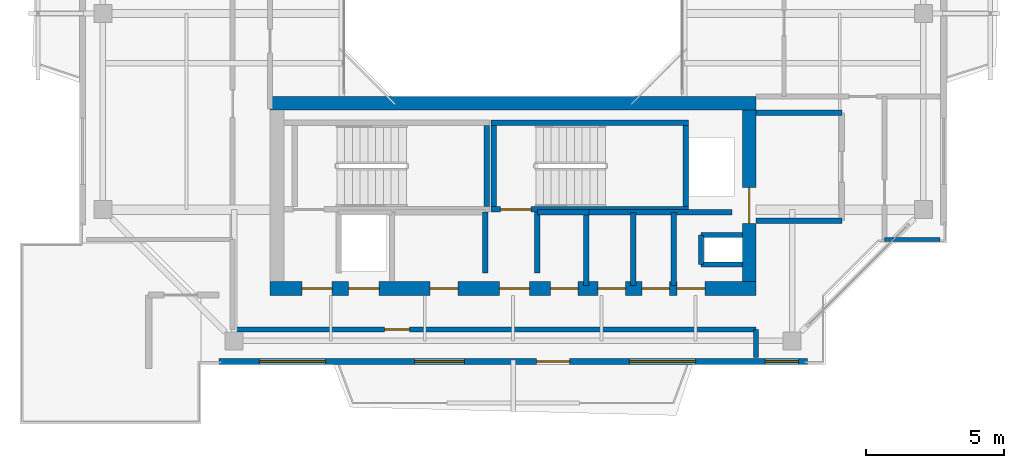
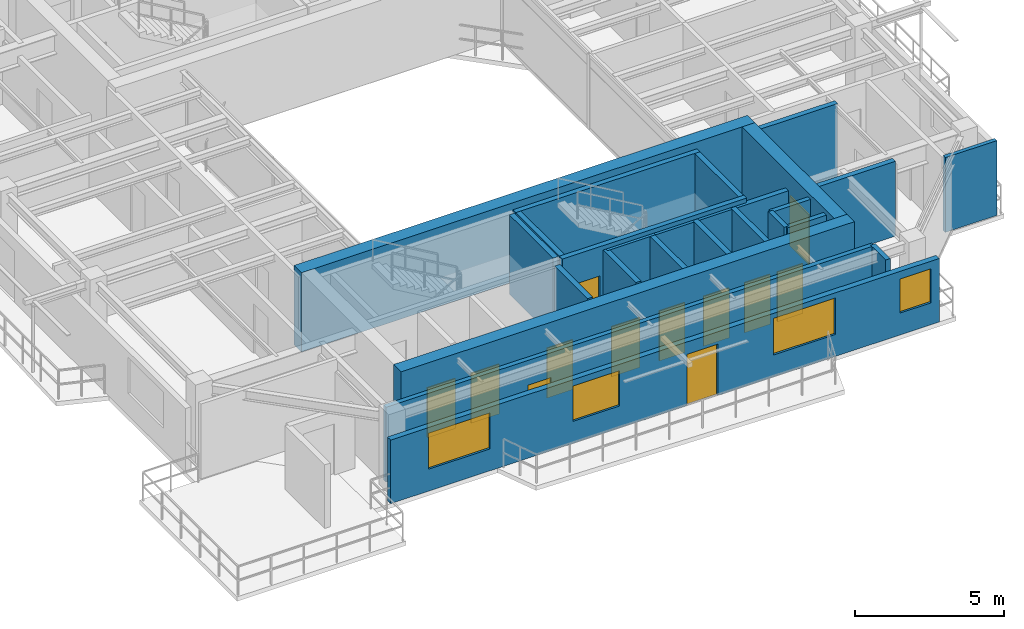
# One storey, part 8 of 14: 24 walls, 12 doors, 4 windows, 16 openings.
"""IFC4 building model written with IfcOpenShell, lengths in metres."""

from ifc_helpers import new_model, si_unit, direction, frame, frame_2d, origin, place, context, subcontext, project, spatial, rectangle, extrude, source, transform, mapped, material, layer, layer_set, type_object, element, fill, save


model = new_model("IFC4")

# Units and contexts
model_context = context("Model", 3, precision=1e-05, world=origin(), true_north=direction((0.0, 1.0)))
body_context = subcontext(model_context, "Body", "Model", "MODEL_VIEW")
ifc_project = project(units=[si_unit("LENGTHUNIT", "METRE"), si_unit("AREAUNIT", "SQUARE_METRE"), si_unit("VOLUMEUNIT", "CUBIC_METRE"), si_unit("PLANEANGLEUNIT", "RADIAN"), si_unit("MASSUNIT", "GRAM", prefix="KILO"), si_unit("THERMODYNAMICTEMPERATUREUNIT", "KELVIN"), si_unit("POWERUNIT", "WATT")], contexts=[model_context])

# Site, building, storey
site_placement = place(None, origin())
site = spatial("IfcSite", under=ifc_project, at=site_placement, CompositionType="ELEMENT")
building_placement = place(site_placement, origin())
building = spatial("IfcBuilding", under=site, at=building_placement, Name="Qiaomeng Ring Towers", CompositionType="ELEMENT")
storey_placement = place(building_placement, frame((0.0, 0.0, 243.75)))
storey = spatial("IfcBuildingStorey", under=building, at=storey_placement, Name="L71", CompositionType="ELEMENT", Elevation=243.75)

# Wall, openings, windows, door
ifc_material_1 = material(Name="Precast concrete C40", Category="concrete")
ifc_layer_1 = layer(ifc_material_1, 0.219970703125, Name="Precast concrete C40")
ifc_layer_set_1 = layer_set([ifc_layer_1], Name="Precast concrete C40")
wall_type_1 = type_object("IfcWallType", Name="ARC-WL-EW2", PredefinedType="STANDARD", material=ifc_layer_set_1)
wall_1_placement = place(storey_placement, frame((8.35009765625, 7.409912109375, 0.0), z_axis=(0.0, 0.0, 1.0), x_axis=(1.0, 0.0, 0.0)))
wall_1 = element("IfcWall", 1, at=wall_1_placement, inside=storey, type_object=wall_type_1, Name="L71 Tower 1 S Exterior Wall", PredefinedType="STANDARD", context=body_context, shape_type="SweptSolid", body=[
    extrude(rectangle(XDim=21.2998046875, YDim=0.219970703125, at=frame_2d((10.64990234375, 0.0))), origin(), (0.0, 0.0, 1.0), 2.610107421875),
])
opening_1_placement = place(wall_1_placement, frame((11.5, 0.0, 0.0)))
opening_1 = element("IfcOpeningElement", 2, at=opening_1_placement, cuts=wall_1, Name="Opening BD1", PredefinedType="OPENING", context=body_context, shape_type="SweptSolid", body=[
    extrude(rectangle(XDim=1.199951171875, YDim=2.10009765625, at=frame_2d((0.60009765625, 1.050048828125))), frame((0.0, 0.119873046875, 0.0), z_axis=(0.0, -1.0, 0.0), x_axis=(1.0, 0.0, 0.0)), (0.0, 0.0, 1.0), 0.239990234375),
])
opening_2_placement = place(wall_1_placement, frame((1.462890625, 0.0, 0.89990234375)))
opening_2 = element("IfcOpeningElement", 3, at=opening_2_placement, cuts=wall_1, Name="Opening WN6", PredefinedType="OPENING", context=body_context, shape_type="SweptSolid", body=[
    extrude(rectangle(XDim=2.39990234375, YDim=1.47998046875, at=frame_2d((1.199951171875, 0.739990234375))), frame((0.0, 0.119873046875, 0.0), z_axis=(0.0, -1.0, 0.0), x_axis=(1.0, 0.0, 0.0)), (0.0, 0.0, 1.0), 0.239990234375),
])
opening_3_placement = place(wall_1_placement, frame((7.087890625, 0.0, 0.89990234375)))
opening_3 = element("IfcOpeningElement", 4, at=opening_3_placement, cuts=wall_1, Name="Opening WN1", PredefinedType="OPENING", context=body_context, shape_type="SweptSolid", body=[
    extrude(rectangle(XDim=1.800048828125, YDim=1.449951171875, at=frame_2d((0.89990234375, 0.72509765625))), frame((0.0, 0.119873046875, 0.0), z_axis=(0.0, -1.0, 0.0), x_axis=(1.0, 0.0, 0.0)), (0.0, 0.0, 1.0), 0.239990234375),
])
opening_4_placement = place(wall_1_placement, frame((19.77490234375, 0.0, 0.89990234375)))
opening_4 = element("IfcOpeningElement", 5, at=opening_4_placement, cuts=wall_1, Name="Opening WN3", PredefinedType="OPENING", context=body_context, shape_type="SweptSolid", body=[
    extrude(rectangle(XDim=1.199951171875, YDim=1.39990234375, at=frame_2d((0.60009765625, 0.699951171875))), frame((0.0, 0.119873046875, 0.0), z_axis=(0.0, -1.0, 0.0), x_axis=(1.0, 0.0, 0.0)), (0.0, 0.0, 1.0), 0.239990234375),
])
opening_5_placement = place(wall_1_placement, frame((14.860107421875, 0.0, 0.89990234375)))
opening_5 = element("IfcOpeningElement", 6, at=opening_5_placement, cuts=wall_1, Name="Opening WN6", PredefinedType="OPENING", context=body_context, shape_type="SweptSolid", body=[
    extrude(rectangle(XDim=2.39990234375, YDim=1.5, at=frame_2d((1.199951171875, 0.75))), frame((0.0, 0.119873046875, 0.0), z_axis=(0.0, -1.0, 0.0), x_axis=(1.0, 0.0, 0.0)), (0.0, 0.0, 1.0), 0.239990234375),
])
ifc_material_2 = material(Name="Low-E dark-grey laminated double glazing", Category="glass")
window_type_1 = type_object("IfcWindowType", Name="ARC-WN-1", PartitioningType="DOUBLE_PANEL_VERTICAL", PredefinedType="WINDOW", material=ifc_material_2)
shared_shape_1 = source(origin(), body_context, "Body", "SweptSolid", [
    extrude(rectangle(XDim=1.800048828125, YDim=1.449951171875, at=frame_2d((0.89990234375, 0.72509765625))), frame((0.0, 0.030029296875, 0.0), z_axis=(0.0, -1.0, 0.0), x_axis=(1.0, 0.0, 0.0)), (0.0, 0.0, 1.0), 0.06005859375),
])
window_1_placement = place(opening_3_placement, origin())
window_1 = element("IfcWindow", 7, at=window_1_placement, inside=storey, type_object=window_type_1, Name="L71 Exterior Window WN1", OverallHeight=1.449951171875, OverallWidth=1.800048828125, PartitioningType="DOUBLE_PANEL_VERTICAL", PredefinedType="WINDOW", context=body_context, shape_type="MappedRepresentation", body=[
    mapped(shared_shape_1, transform((0.0, 0.0, 0.0), x_axis=(1.0, 0.0, 0.0), y_axis=(0.0, 1.0, 0.0), z_axis=(0.0, 0.0, 1.0), scale=1.0)),
])
fill(opening_3, window_1)
window_type_2 = type_object("IfcWindowType", Name="ARC-WN-6", PartitioningType="TRIPLE_PANEL_VERTICAL", PredefinedType="WINDOW", material=ifc_material_2)
shared_shape_2 = source(origin(), body_context, "Body", "SweptSolid", [
    extrude(rectangle(XDim=2.39990234375, YDim=1.47998046875, at=frame_2d((1.199951171875, 0.739990234375))), frame((0.0, 0.030029296875, 0.0), z_axis=(0.0, -1.0, 0.0), x_axis=(1.0, 0.0, 0.0)), (0.0, 0.0, 1.0), 0.06005859375),
])
window_2_placement = place(opening_2_placement, origin())
window_2 = element("IfcWindow", 8, at=window_2_placement, inside=storey, type_object=window_type_2, Name="L71 Exterior Window WN6", OverallHeight=1.47998046875, OverallWidth=2.39990234375, PartitioningType="TRIPLE_PANEL_VERTICAL", PredefinedType="WINDOW", context=body_context, shape_type="MappedRepresentation", body=[
    mapped(shared_shape_2, transform((0.0, 0.0, 0.0), x_axis=(1.0, 0.0, 0.0), y_axis=(0.0, 1.0, 0.0), z_axis=(0.0, 0.0, 1.0), scale=1.0)),
])
fill(opening_2, window_2)
door_type_1 = type_object("IfcDoorType", Name="ARC-DR-BD1", OperationType="NOTDEFINED", PredefinedType="DOOR", material=ifc_material_2)
shared_shape_3 = source(origin(), body_context, "Body", "SweptSolid", [
    extrude(rectangle(XDim=1.199951171875, YDim=2.10009765625, at=frame_2d((0.60009765625, 1.050048828125))), frame((0.0, 0.02490234375, 0.0), z_axis=(0.0, -1.0, 0.0), x_axis=(1.0, 0.0, 0.0)), (0.0, 0.0, 1.0), 0.050048828125),
])
door_1_placement = place(opening_1_placement, frame((1.199951171875, 0.0, 0.0), z_axis=(0.0, 0.0, 1.0), x_axis=(-1.0, 0.0, 0.0)))
door_1 = element("IfcDoor", 9, at=door_1_placement, inside=storey, type_object=door_type_1, Name="L71 S Balcony Glazed Door", OperationType="SINGLE_SWING_LEFT", OverallHeight=2.10009765625, OverallWidth=1.199951171875, PredefinedType="DOOR", context=body_context, shape_type="MappedRepresentation", body=[
    mapped(shared_shape_3, transform((0.0, 0.0, 0.0), x_axis=(1.0, 0.0, 0.0), y_axis=(0.0, 1.0, 0.0), z_axis=(0.0, 0.0, 1.0), scale=1.0)),
])
fill(opening_1, door_1)
shared_shape_4 = source(origin(), body_context, "Body", "SweptSolid", [
    extrude(rectangle(XDim=2.39990234375, YDim=1.5, at=frame_2d((1.199951171875, 0.75))), frame((0.0, 0.030029296875, 0.0), z_axis=(0.0, -1.0, 0.0), x_axis=(1.0, 0.0, 0.0)), (0.0, 0.0, 1.0), 0.06005859375),
])
window_3_placement = place(opening_5_placement, origin())
window_3 = element("IfcWindow", 10, at=window_3_placement, inside=storey, type_object=window_type_2, Name="L71 Exterior Window WN6", OverallHeight=1.5, OverallWidth=2.39990234375, PartitioningType="TRIPLE_PANEL_VERTICAL", PredefinedType="WINDOW", context=body_context, shape_type="MappedRepresentation", body=[
    mapped(shared_shape_4, transform((0.0, 0.0, 0.0), x_axis=(1.0, 0.0, 0.0), y_axis=(0.0, 1.0, 0.0), z_axis=(0.0, 0.0, 1.0), scale=1.0)),
])
fill(opening_5, window_3)
window_type_3 = type_object("IfcWindowType", Name="ARC-WN-3", PartitioningType="SINGLE_PANEL", PredefinedType="WINDOW", material=ifc_material_2)
shared_shape_5 = source(origin(), body_context, "Body", "SweptSolid", [
    extrude(rectangle(XDim=1.199951171875, YDim=1.39990234375, at=frame_2d((0.60009765625, 0.699951171875))), frame((0.0, 0.030029296875, 0.0), z_axis=(0.0, -1.0, 0.0), x_axis=(1.0, 0.0, 0.0)), (0.0, 0.0, 1.0), 0.06005859375),
])
window_4_placement = place(opening_4_placement, origin())
window_4 = element("IfcWindow", 11, at=window_4_placement, inside=storey, type_object=window_type_3, Name="L71 Exterior Window WN4", OverallHeight=1.39990234375, OverallWidth=1.199951171875, PartitioningType="TRIPLE_PANEL_VERTICAL", PredefinedType="WINDOW", context=body_context, shape_type="MappedRepresentation", body=[
    mapped(shared_shape_5, transform((0.0, 0.0, 0.0), x_axis=(1.0, 0.0, 0.0), y_axis=(0.0, 1.0, 0.0), z_axis=(0.0, 0.0, 1.0), scale=1.0)),
])
fill(opening_4, window_4)

# Walls
ifc_material_3 = material(Name="Autoclaved aerated concrete block", Category="concrete")
ifc_layer_2 = layer(ifc_material_3, 0.199951171875, Name="Autoclaved aerated concrete block")
ifc_layer_set_2 = layer_set([ifc_layer_2], Name="Autoclaved aerated concrete block")
wall_type_2 = type_object("IfcWallType", Name="ARC-WL-PW1", PredefinedType="PARTITIONING", material=ifc_layer_set_2)
for number, where, z_axis, x_axis, name in (
    (12, (27.800048828125, 16.39990234375, 0.0), (0.0, 0.0, 1.0), (1.0, 0.0, 0.0), "L71 Interior Wall PW1"),
    (13, (27.800048828125, 12.5, 0.0), (0.0, 0.0, 1.0), (1.0, 0.0, 0.0), "L71 Interior Wall PW1"),
):
    element("IfcWall", number, at=place(storey_placement, frame(where, z_axis=z_axis, x_axis=x_axis)), inside=storey, type_object=wall_type_2, Name=name, PredefinedType="PARTITIONING", context=body_context, shape_type="SweptSolid", body=[
        extrude(rectangle(XDim=3.099853515625, YDim=0.199951171875, at=frame_2d((1.5498046875, 0.0))), origin(), (0.0, 0.0, 1.0), 3.070068359375),
    ])
for number, where, z_axis, x_axis, name in (
    (14, (18.0, 10.60009765625, 0.0), (0.0, 0.0, 1.0), (0.0, 1.0, 0.0), "L71 Interior Wall PW1"),
    (15, (19.8798828125, 10.60009765625, 0.0), (0.0, 0.0, 1.0), (0.0, 1.0, 0.0), "L71 Interior Wall PW1"),
):
    element("IfcWall", number, at=place(storey_placement, frame(where, z_axis=z_axis, x_axis=x_axis)), inside=storey, type_object=wall_type_2, Name=name, PredefinedType="PARTITIONING", context=body_context, shape_type="SweptSolid", body=[
        extrude(rectangle(XDim=2.2099609375, YDim=0.199951171875, at=frame_2d((1.10498046875, 0.0))), origin(), (0.0, 0.0, 1.0), 3.070068359375),
    ])
wall_2_placement = place(storey_placement, frame((24.820068359375, 10.14990234375, 0.0), z_axis=(0.0, 0.0, 1.0), x_axis=(0.0, 1.0, 0.0)))
element("IfcWall", 16, at=wall_2_placement, inside=storey, type_object=wall_type_2, Name="L71 Interior Wall PW1", PredefinedType="PARTITIONING", context=body_context, shape_type="SweptSolid", body=[
    extrude(rectangle(XDim=2.650146484375, YDim=0.199951171875, at=frame_2d((1.3251953125, 0.0))), origin(), (0.0, 0.0, 1.0), 3.070068359375),
])
wall_3_placement = place(storey_placement, frame((19.8798828125, 12.800048828125, 0.0), z_axis=(0.0, 0.0, 1.0), x_axis=(1.0, 0.0, 0.0)))
element("IfcWall", 17, at=wall_3_placement, inside=storey, type_object=wall_type_2, Name="L71 Interior Wall PW1", PredefinedType="PARTITIONING", context=body_context, shape_type="SweptSolid", body=[
    extrude(rectangle(XDim=1.8701171875, YDim=0.199951171875, at=frame_2d((0.93505859375, 0.0))), origin(), (0.0, 0.0, 1.0), 3.070068359375),
])
for number, where, z_axis, x_axis, name in (
    (18, (21.639892578125, 10.14990234375, 0.0), (0.0, 0.0, 1.0), (0.0, 1.0, 0.0), "L71 Interior Wall PW1"),
    (19, (23.35009765625, 10.14990234375, 0.0), (0.0, 0.0, 1.0), (0.0, 1.0, 0.0), "L71 Interior Wall PW1"),
):
    element("IfcWall", number, at=place(storey_placement, frame(where, z_axis=z_axis, x_axis=x_axis)), inside=storey, type_object=wall_type_2, Name=name, PredefinedType="PARTITIONING", context=body_context, shape_type="SweptSolid", body=[
        extrude(rectangle(XDim=2.650146484375, YDim=0.199951171875, at=frame_2d((1.3251953125, 0.0))), origin(), (0.0, 0.0, 1.0), 3.070068359375),
    ])
wall_4_placement = place(storey_placement, frame((21.75, 12.800048828125, 0.0), z_axis=(0.0, 0.0, 1.0), x_axis=(1.0, 0.0, 0.0)))
element("IfcWall", 20, at=wall_4_placement, inside=storey, type_object=wall_type_2, Name="L71 Interior Wall PW1", PredefinedType="PARTITIONING", context=body_context, shape_type="SweptSolid", body=[
    extrude(rectangle(XDim=5.169921875, YDim=0.199951171875, at=frame_2d((2.5849609375, 0.0))), origin(), (0.0, 0.0, 1.0), 3.070068359375),
])
ifc_layer_3 = layer(ifc_material_3, 0.179931640625, Name="Autoclaved aerated concrete block")
ifc_layer_set_3 = layer_set([ifc_layer_3], Name="Autoclaved aerated concrete block")
wall_type_3 = type_object("IfcWallType", Name="ARC-WL-PW2", PredefinedType="PARTITIONING", material=ifc_layer_set_3)
wall_5_placement = place(storey_placement, frame((27.800048828125, 7.550048828125, 0.0), z_axis=(0.0, 0.0, 1.0), x_axis=(0.0, 1.0, 0.0)))
element("IfcWall", 21, at=wall_5_placement, inside=storey, type_object=wall_type_3, Name="L71 Interior Wall PW2", PredefinedType="PARTITIONING", context=body_context, shape_type="SweptSolid", body=[
    extrude(rectangle(XDim=1.010009765625, YDim=0.179931640625, at=frame_2d((0.5048828125, 0.0))), origin(), (0.0, 0.0, 1.0), 3.070068359375),
])

# Wall, opening, door
wall_6_placement = place(storey_placement, frame((8.85009765625, 8.56005859375, 0.0), z_axis=(0.0, 0.0, 1.0), x_axis=(1.0, 0.0, 0.0)))
wall_6 = element("IfcWall", 22, at=wall_6_placement, inside=storey, type_object=wall_type_3, Name="L71 Interior Wall PW2", PredefinedType="PARTITIONING", context=body_context, shape_type="SweptSolid", body=[
    extrude(rectangle(XDim=18.949951171875, YDim=0.179931640625, at=frame_2d((9.47509765625, 0.0))), origin(), (0.0, 0.0, 1.0), 3.070068359375),
])
opening_6_placement = place(wall_6_placement, frame((5.5, 0.0, 0.0)))
opening_6 = element("IfcOpeningElement", 23, at=opening_6_placement, cuts=wall_6, Name="Opening ID1", PredefinedType="OPENING", context=body_context, shape_type="SweptSolid", body=[
    extrude(rectangle(XDim=0.89990234375, YDim=2.050048828125, at=frame_2d((0.449951171875, 1.02490234375))), frame((0.0, 0.099853515625, 0.0), z_axis=(0.0, -1.0, 0.0), x_axis=(1.0, 0.0, 0.0)), (0.0, 0.0, 1.0), 0.199951171875),
])
ifc_material_4 = material(Name="Engineered oak timber", Category="wood")
door_type_2 = type_object("IfcDoorType", Name="ARC-DR-ID1", OperationType="NOTDEFINED", PredefinedType="DOOR", material=ifc_material_4)
shared_shape_6 = source(origin(), body_context, "Body", "SweptSolid", [
    extrude(rectangle(XDim=0.89990234375, YDim=2.050048828125, at=frame_2d((0.449951171875, 1.02490234375))), frame((0.0, 0.02490234375, 0.0), z_axis=(0.0, -1.0, 0.0), x_axis=(1.0, 0.0, 0.0)), (0.0, 0.0, 1.0), 0.050048828125),
])
door_2_placement = place(opening_6_placement, origin())
door_2 = element("IfcDoor", 24, at=door_2_placement, inside=storey, type_object=door_type_2, Name="L71 Door ID1", OperationType="SINGLE_SWING_LEFT", OverallHeight=2.050048828125, OverallWidth=0.89990234375, PredefinedType="DOOR", context=body_context, shape_type="MappedRepresentation", body=[
    mapped(shared_shape_6, transform((0.0, 0.0, 0.0), x_axis=(1.0, 0.0, 0.0), y_axis=(0.0, 1.0, 0.0), z_axis=(0.0, 0.0, 1.0), scale=1.0)),
])
fill(opening_6, door_2)

# Walls
ifc_material_5 = material(Name="Gypsum fireboard steel-stud partition", Category="steel")
ifc_layer_4 = layer(ifc_material_5, 0.14990234375, Name="Gypsum fireboard steel-stud partition")
ifc_layer_set_4 = layer_set([ifc_layer_4], Name="Gypsum fireboard steel-stud partition")
wall_type_4 = type_object("IfcWallType", Name="ARC-WL-PW3", PredefinedType="PARTITIONING", material=ifc_layer_set_4)
wall_7_placement = place(storey_placement, frame((32.449951171875, 11.820068359375, 0.0), z_axis=(0.0, 0.0, 1.0), x_axis=(1.0, 0.0, 0.0)))
element("IfcWall", 25, at=wall_7_placement, inside=storey, type_object=wall_type_4, Name="L71 Interior Wall PW3", PredefinedType="PARTITIONING", context=body_context, shape_type="SweptSolid", body=[
    extrude(rectangle(XDim=2.0, YDim=0.14990234375, at=frame_2d((1.0, 0.0))), origin(), (0.0, 0.0, 1.0), 3.070068359375),
])
ifc_material_6 = material(Name="Concrete C40", Category="concrete")
ifc_layer_5 = layer(ifc_material_6, 0.199951171875, Name="Concrete C40")
ifc_layer_set_5 = layer_set([ifc_layer_5], Name="Concrete C40")
wall_type_5 = type_object("IfcWallType", Name="STR-WL-STSHAFT", PredefinedType="SHEAR", material=ifc_layer_set_5)
wall_8_placement = place(storey_placement, frame((25.800048828125, 10.919921875, 0.0), z_axis=(0.0, 0.0, 1.0), x_axis=(0.0, 1.0, 0.0)))
element("IfcWall", 26, at=wall_8_placement, inside=storey, type_object=wall_type_5, Name="L71 Riser RSR1 West Shaft Wall S", PredefinedType="SHEAR", context=body_context, shape_type="SweptSolid", body=[
    extrude(rectangle(XDim=1.06005859375, YDim=0.179931640625, at=frame_2d((0.530029296875, 0.0))), origin(), (0.0, 0.0, 1.0), 3.070068359375),
])
for number, where, z_axis, x_axis, name in (
    (27, (25.800048828125, 11.97998046875, 0.0), (0.0, 0.0, 1.0), (1.0, 0.0, 0.0), "L71 Riser RSR1 North Shaft Wall S"),
    (28, (25.800048828125, 10.919921875, 0.0), (0.0, 0.0, 1.0), (1.0, 0.0, 0.0), "L71 Riser RSR1 South Shaft Wall S"),
):
    element("IfcWall", number, at=place(storey_placement, frame(where, z_axis=z_axis, x_axis=x_axis)), inside=storey, type_object=wall_type_5, Name=name, PredefinedType="SHEAR", context=body_context, shape_type="SweptSolid", body=[
        extrude(rectangle(XDim=1.5, YDim=0.179931640625, at=frame_2d((0.75, 0.0))), origin(), (0.0, 0.0, 1.0), 3.070068359375),
    ])
wall_9_placement = place(storey_placement, frame((18.050048828125, 13.010009765625, 0.0), z_axis=(0.0, 0.0, 1.0), x_axis=(0.0, 1.0, 0.0)))
element("IfcWall", 29, at=wall_9_placement, inside=storey, type_object=wall_type_5, Name="L71 Stair ST3 East Shaft Shear Wall", PredefinedType="SHEAR", context=body_context, shape_type="SweptSolid", body=[
    extrude(rectangle(XDim=2.93994140625, YDim=0.199951171875, at=frame_2d((1.469970703125, 0.0))), origin(), (0.0, 0.0, 1.0), 3.25),
])

# Wall, opening, door
wall_10_placement = place(storey_placement, frame((18.199951171875, 12.909912109375, 0.0), z_axis=(0.0, 0.0, 1.0), x_axis=(1.0, 0.0, 0.0)))
wall_10 = element("IfcWall", 30, at=wall_10_placement, inside=storey, type_object=wall_type_5, Name="L71 Stair ST4 South Shaft Shear Wall", PredefinedType="SHEAR", context=body_context, shape_type="SweptSolid", body=[
    extrude(rectangle(XDim=7.150146484375, YDim=0.199951171875, at=frame_2d((3.5751953125, 0.0))), origin(), (0.0, 0.0, 1.0), 3.25),
])
opening_7_placement = place(wall_10_placement, frame((0.35009765625, 0.0, 0.0)))
opening_7 = element("IfcOpeningElement", 31, at=opening_7_placement, cuts=wall_10, Name="Opening FD3", PredefinedType="OPENING", context=body_context, shape_type="SweptSolid", body=[
    extrude(rectangle(XDim=1.10009765625, YDim=2.050048828125, at=frame_2d((0.550048828125, 1.02490234375))), frame((0.0, 0.10986328125, 0.0), z_axis=(0.0, -1.0, 0.0), x_axis=(1.0, 0.0, 0.0)), (0.0, 0.0, 1.0), 0.219970703125),
])
ifc_material_7 = material(Name="Galvanised steel", Category="steel")
door_type_3 = type_object("IfcDoorType", Name="ARC-DR-FD3", OperationType="NOTDEFINED", PredefinedType="DOOR", material=ifc_material_7)
shared_shape_7 = source(origin(), body_context, "Body", "SweptSolid", [
    extrude(rectangle(XDim=1.10009765625, YDim=2.050048828125, at=frame_2d((0.550048828125, 1.02490234375))), frame((0.0, 0.02490234375, 0.0), z_axis=(0.0, -1.0, 0.0), x_axis=(1.0, 0.0, 0.0)), (0.0, 0.0, 1.0), 0.050048828125),
])
door_3_placement = place(opening_7_placement, frame((1.10009765625, 0.0, 0.0), z_axis=(0.0, 0.0, 1.0), x_axis=(-1.0, 0.0, 0.0)))
door_3 = element("IfcDoor", 32, at=door_3_placement, inside=storey, type_object=door_type_3, Name="L71 Stair ST4 Exit Door", OperationType="SINGLE_SWING_LEFT", OverallHeight=2.050048828125, OverallWidth=1.10009765625, PredefinedType="DOOR", context=body_context, shape_type="MappedRepresentation", body=[
    mapped(shared_shape_7, transform((0.0, 0.0, 0.0), x_axis=(1.0, 0.0, 0.0), y_axis=(0.0, 1.0, 0.0), z_axis=(0.0, 0.0, 1.0), scale=1.0)),
])
fill(opening_7, door_3)

# Walls
wall_11_placement = place(storey_placement, frame((18.199951171875, 16.050048828125, 0.0), z_axis=(0.0, 0.0, 1.0), x_axis=(1.0, 0.0, 0.0)))
element("IfcWall", 33, at=wall_11_placement, inside=storey, type_object=wall_type_5, Name="L71 Stair ST4 North Shaft Shear Wall", PredefinedType="SHEAR", context=body_context, shape_type="SweptSolid", body=[
    extrude(rectangle(XDim=7.150146484375, YDim=0.199951171875, at=frame_2d((3.5751953125, 0.0))), origin(), (0.0, 0.0, 1.0), 3.25),
])
for number, where, z_axis, x_axis, name in (
    (34, (18.300048828125, 13.010009765625, 0.0), (0.0, 0.0, 1.0), (0.0, 1.0, 0.0), "L71 Stair ST4 West Shaft Shear Wall"),
    (35, (25.25, 13.010009765625, 0.0), (0.0, 0.0, 1.0), (0.0, 1.0, 0.0), "L71 Stair ST4 East Shaft Shear Wall"),
):
    element("IfcWall", number, at=place(storey_placement, frame(where, z_axis=z_axis, x_axis=x_axis)), inside=storey, type_object=wall_type_5, Name=name, PredefinedType="SHEAR", context=body_context, shape_type="SweptSolid", body=[
        extrude(rectangle(XDim=2.93994140625, YDim=0.199951171875, at=frame_2d((1.469970703125, 0.0))), origin(), (0.0, 0.0, 1.0), 3.25),
    ])

# Wall, openings, doors
ifc_layer_6 = layer(ifc_material_6, 0.5, Name="Concrete C40")
ifc_layer_set_6 = layer_set([ifc_layer_6], Name="Concrete C40")
wall_type_6 = type_object("IfcWallType", Name="STR-WL-SW3", PredefinedType="SHEAR", material=ifc_layer_set_6)
wall_12_placement = place(storey_placement, frame((10.199951171875, 10.050048828125, 0.0), z_axis=(0.0, 0.0, 1.0), x_axis=(1.0, 0.0, 0.0)))
wall_12 = element("IfcWall", 36, at=wall_12_placement, inside=storey, type_object=wall_type_6, Name="L71 T1SC south core shear wall", PredefinedType="SHEAR", context=body_context, shape_type="SweptSolid", body=[
    extrude(rectangle(XDim=17.60009765625, YDim=0.5, at=frame_2d((8.800048828125, 0.0))), origin(), (0.0, 0.0, 1.0), 3.25),
])
opening_8_placement = place(wall_12_placement, frame((1.14990234375, 0.0, 0.0)))
opening_8 = element("IfcOpeningElement", 37, at=opening_8_placement, cuts=wall_12, Name="Opening FD3", PredefinedType="OPENING", context=body_context, shape_type="SweptSolid", body=[
    extrude(rectangle(XDim=1.10009765625, YDim=2.050048828125, at=frame_2d((0.550048828125, 1.02490234375))), frame((0.0, 0.260009765625, 0.0), z_axis=(0.0, -1.0, 0.0), x_axis=(1.0, 0.0, 0.0)), (0.0, 0.0, 1.0), 0.52001953125),
])
opening_9_placement = place(wall_12_placement, frame((8.300048828125, 0.0, 0.0)))
opening_9 = element("IfcOpeningElement", 38, at=opening_9_placement, cuts=wall_12, Name="Opening FD3", PredefinedType="OPENING", context=body_context, shape_type="SweptSolid", body=[
    extrude(rectangle(XDim=1.10009765625, YDim=2.050048828125, at=frame_2d((0.550048828125, 1.02490234375))), frame((0.0, 0.260009765625, 0.0), z_axis=(0.0, -1.0, 0.0), x_axis=(1.0, 0.0, 0.0)), (0.0, 0.0, 1.0), 0.52001953125),
])
opening_10_placement = place(wall_12_placement, frame((2.85009765625, 0.0, 0.0)))
opening_10 = element("IfcOpeningElement", 39, at=opening_10_placement, cuts=wall_12, Name="Opening LD1", PredefinedType="OPENING", context=body_context, shape_type="SweptSolid", body=[
    extrude(rectangle(XDim=1.10009765625, YDim=2.050048828125, at=frame_2d((0.550048828125, 1.02490234375))), frame((0.0, 0.260009765625, 0.0), z_axis=(0.0, -1.0, 0.0), x_axis=(1.0, 0.0, 0.0)), (0.0, 0.0, 1.0), 0.52001953125),
])
opening_11_placement = place(wall_12_placement, frame((5.800048828125, 0.0, 0.0)))
opening_11 = element("IfcOpeningElement", 40, at=opening_11_placement, cuts=wall_12, Name="Opening FD1", PredefinedType="OPENING", context=body_context, shape_type="SweptSolid", body=[
    extrude(rectangle(XDim=1.0, YDim=2.050048828125, at=frame_2d((0.5, 1.02490234375))), frame((0.0, 0.260009765625, 0.0), z_axis=(0.0, -1.0, 0.0), x_axis=(1.0, 0.0, 0.0)), (0.0, 0.0, 1.0), 0.52001953125),
])
opening_12_placement = place(wall_12_placement, frame((14.739990234375, 0.0, 0.0)))
opening_12 = element("IfcOpeningElement", 41, at=opening_12_placement, cuts=wall_12, Name="Opening FD1", PredefinedType="OPENING", context=body_context, shape_type="SweptSolid", body=[
    extrude(rectangle(XDim=1.0, YDim=2.050048828125, at=frame_2d((0.5, 1.02490234375))), frame((0.0, 0.260009765625, 0.0), z_axis=(0.0, -1.0, 0.0), x_axis=(1.0, 0.0, 0.0)), (0.0, 0.0, 1.0), 0.52001953125),
])
opening_13_placement = place(wall_12_placement, frame((10.155029296875, 0.0, 0.0)))
opening_13 = element("IfcOpeningElement", 42, at=opening_13_placement, cuts=wall_12, Name="Opening FD1", PredefinedType="OPENING", context=body_context, shape_type="SweptSolid", body=[
    extrude(rectangle(XDim=1.0, YDim=2.050048828125, at=frame_2d((0.5, 1.02490234375))), frame((0.0, 0.260009765625, 0.0), z_axis=(0.0, -1.0, 0.0), x_axis=(1.0, 0.0, 0.0)), (0.0, 0.0, 1.0), 0.52001953125),
])
opening_14_placement = place(wall_12_placement, frame((11.8701171875, 0.0, 0.0)))
opening_14 = element("IfcOpeningElement", 43, at=opening_14_placement, cuts=wall_12, Name="Opening FD1", PredefinedType="OPENING", context=body_context, shape_type="SweptSolid", body=[
    extrude(rectangle(XDim=1.0, YDim=2.050048828125, at=frame_2d((0.5, 1.02490234375))), frame((0.0, 0.260009765625, 0.0), z_axis=(0.0, -1.0, 0.0), x_axis=(1.0, 0.0, 0.0)), (0.0, 0.0, 1.0), 0.52001953125),
])
opening_15_placement = place(wall_12_placement, frame((13.4599609375, 0.0, 0.0)))
opening_15 = element("IfcOpeningElement", 44, at=opening_15_placement, cuts=wall_12, Name="Opening FD1", PredefinedType="OPENING", context=body_context, shape_type="SweptSolid", body=[
    extrude(rectangle(XDim=1.0, YDim=2.050048828125, at=frame_2d((0.5, 1.02490234375))), frame((0.0, 0.260009765625, 0.0), z_axis=(0.0, -1.0, 0.0), x_axis=(1.0, 0.0, 0.0)), (0.0, 0.0, 1.0), 0.52001953125),
])
door_4_placement = place(opening_8_placement, origin())
door_4 = element("IfcDoor", 45, at=door_4_placement, inside=storey, type_object=door_type_3, Name="L71 Stair ST3 Lobby Door", OperationType="SINGLE_SWING_RIGHT", OverallHeight=2.050048828125, OverallWidth=1.10009765625, PredefinedType="DOOR", context=body_context, shape_type="MappedRepresentation", body=[
    mapped(shared_shape_7, transform((0.0, 0.0, 0.0), x_axis=(1.0, 0.0, 0.0), y_axis=(0.0, 1.0, 0.0), z_axis=(0.0, 0.0, 1.0), scale=1.0)),
])
fill(opening_8, door_4)
door_5_placement = place(opening_9_placement, origin())
door_5 = element("IfcDoor", 46, at=door_5_placement, inside=storey, type_object=door_type_3, Name="L71 Stair ST4 Lobby Door", OperationType="SINGLE_SWING_RIGHT", OverallHeight=2.050048828125, OverallWidth=1.10009765625, PredefinedType="DOOR", context=body_context, shape_type="MappedRepresentation", body=[
    mapped(shared_shape_7, transform((0.0, 0.0, 0.0), x_axis=(1.0, 0.0, 0.0), y_axis=(0.0, 1.0, 0.0), z_axis=(0.0, 0.0, 1.0), scale=1.0)),
])
fill(opening_9, door_5)
ifc_material_8 = material(Name="Stainless steel 316", Category="steel")
door_type_4 = type_object("IfcDoorType", Name="ARC-DR-LD1", OperationType="NOTDEFINED", PredefinedType="DOOR", material=ifc_material_8)
door_6_placement = place(opening_10_placement, origin())
door_6 = element("IfcDoor", 47, at=door_6_placement, inside=storey, type_object=door_type_4, Name="L71 High-Zone Lift LP6 Landing Door", OperationType="SLIDING_TO_RIGHT", OverallHeight=2.050048828125, OverallWidth=1.10009765625, PredefinedType="DOOR", context=body_context, shape_type="MappedRepresentation", body=[
    mapped(shared_shape_7, transform((0.0, 0.0, 0.0), x_axis=(1.0, 0.0, 0.0), y_axis=(0.0, 1.0, 0.0), z_axis=(0.0, 0.0, 1.0), scale=1.0)),
])
fill(opening_10, door_6)
door_type_5 = type_object("IfcDoorType", Name="ARC-DR-FD1", OperationType="NOTDEFINED", PredefinedType="DOOR", material=ifc_material_7)
shared_shape_8 = source(origin(), body_context, "Body", "SweptSolid", [
    extrude(rectangle(XDim=1.0, YDim=2.050048828125, at=frame_2d((0.5, 1.02490234375))), frame((0.0, 0.02490234375, 0.0), z_axis=(0.0, -1.0, 0.0), x_axis=(1.0, 0.0, 0.0)), (0.0, 0.0, 1.0), 0.050048828125),
])
door_7_placement = place(opening_11_placement, origin())
door_7 = element("IfcDoor", 48, at=door_7_placement, inside=storey, type_object=door_type_5, Name="L71 High-Zone Freed Core Room Door", OperationType="SINGLE_SWING_LEFT", OverallHeight=2.050048828125, OverallWidth=1.0, PredefinedType="DOOR", context=body_context, shape_type="MappedRepresentation", body=[
    mapped(shared_shape_8, transform((0.0, 0.0, 0.0), x_axis=(1.0, 0.0, 0.0), y_axis=(0.0, 1.0, 0.0), z_axis=(0.0, 0.0, 1.0), scale=1.0)),
])
fill(opening_11, door_7)
door_8_placement = place(opening_12_placement, origin())
door_8 = element("IfcDoor", 49, at=door_8_placement, inside=storey, type_object=door_type_5, Name="L71 South Electrical Riser Door", OperationType="SINGLE_SWING_LEFT", OverallHeight=2.050048828125, OverallWidth=1.0, PredefinedType="DOOR", context=body_context, shape_type="MappedRepresentation", body=[
    mapped(shared_shape_8, transform((0.0, 0.0, 0.0), x_axis=(1.0, 0.0, 0.0), y_axis=(0.0, 1.0, 0.0), z_axis=(0.0, 0.0, 1.0), scale=1.0)),
])
fill(opening_12, door_8)
door_9_placement = place(opening_13_placement, origin())
door_9 = element("IfcDoor", 50, at=door_9_placement, inside=storey, type_object=door_type_5, Name="L71 South Break Lounge Door", OperationType="SINGLE_SWING_LEFT", OverallHeight=2.050048828125, OverallWidth=1.0, PredefinedType="DOOR", context=body_context, shape_type="MappedRepresentation", body=[
    mapped(shared_shape_8, transform((0.0, 0.0, 0.0), x_axis=(1.0, 0.0, 0.0), y_axis=(0.0, 1.0, 0.0), z_axis=(0.0, 0.0, 1.0), scale=1.0)),
])
fill(opening_13, door_9)
door_10_placement = place(opening_14_placement, origin())
door_10 = element("IfcDoor", 51, at=door_10_placement, inside=storey, type_object=door_type_5, Name="L71 South Consultation Study Door", OperationType="SINGLE_SWING_RIGHT", OverallHeight=2.050048828125, OverallWidth=1.0, PredefinedType="DOOR", context=body_context, shape_type="MappedRepresentation", body=[
    mapped(shared_shape_8, transform((0.0, 0.0, 0.0), x_axis=(1.0, 0.0, 0.0), y_axis=(0.0, 1.0, 0.0), z_axis=(0.0, 0.0, 1.0), scale=1.0)),
])
fill(opening_14, door_10)
door_11_placement = place(opening_15_placement, origin())
door_11 = element("IfcDoor", 52, at=door_11_placement, inside=storey, type_object=door_type_5, Name="L71 South Tea Pantry Door", OperationType="SINGLE_SWING_LEFT", OverallHeight=2.050048828125, OverallWidth=1.0, PredefinedType="DOOR", context=body_context, shape_type="MappedRepresentation", body=[
    mapped(shared_shape_8, transform((0.0, 0.0, 0.0), x_axis=(1.0, 0.0, 0.0), y_axis=(0.0, 1.0, 0.0), z_axis=(0.0, 0.0, 1.0), scale=1.0)),
])
fill(opening_15, door_11)

# Wall
wall_13_placement = place(storey_placement, frame((10.199951171875, 16.75, 0.0), z_axis=(0.0, 0.0, 1.0), x_axis=(1.0, 0.0, 0.0)))
element("IfcWall", 53, at=wall_13_placement, inside=storey, type_object=wall_type_6, Name="L71 T1SC north core shear wall", PredefinedType="SHEAR", context=body_context, shape_type="SweptSolid", body=[
    extrude(rectangle(XDim=17.60009765625, YDim=0.5, at=frame_2d((8.800048828125, 0.0))), origin(), (0.0, 0.0, 1.0), 3.25),
])

# Wall, opening, door
wall_14_placement = place(storey_placement, frame((27.550048828125, 10.300048828125, 0.0), z_axis=(0.0, 0.0, 1.0), x_axis=(0.0, 1.0, 0.0)))
wall_14 = element("IfcWall", 54, at=wall_14_placement, inside=storey, type_object=wall_type_6, Name="L71 T1SC east core shear wall", PredefinedType="SHEAR", context=body_context, shape_type="SweptSolid", body=[
    extrude(rectangle(XDim=6.199951171875, YDim=0.5, at=frame_2d((3.10009765625, 0.0))), origin(), (0.0, 0.0, 1.0), 3.25),
])
opening_16_placement = place(wall_14_placement, frame((2.10009765625, 0.0, 0.0)))
opening_16 = element("IfcOpeningElement", 55, at=opening_16_placement, cuts=wall_14, Name="Opening LD2", PredefinedType="OPENING", context=body_context, shape_type="SweptSolid", body=[
    extrude(rectangle(XDim=1.300048828125, YDim=2.050048828125, at=frame_2d((0.64990234375, 1.02490234375))), frame((0.0, 0.260009765625, 0.0), z_axis=(0.0, -1.0, 0.0), x_axis=(1.0, 0.0, 0.0)), (0.0, 0.0, 1.0), 0.52001953125),
])
door_type_6 = type_object("IfcDoorType", Name="ARC-DR-LD2", OperationType="NOTDEFINED", PredefinedType="DOOR", material=ifc_material_8)
shared_shape_9 = source(origin(), body_context, "Body", "SweptSolid", [
    extrude(rectangle(XDim=1.300048828125, YDim=2.050048828125, at=frame_2d((0.64990234375, 1.02490234375))), frame((0.0, 0.02490234375, 0.0), z_axis=(0.0, -1.0, 0.0), x_axis=(1.0, 0.0, 0.0)), (0.0, 0.0, 1.0), 0.050048828125),
])
door_12_placement = place(opening_16_placement, origin())
door_12 = element("IfcDoor", 56, at=door_12_placement, inside=storey, type_object=door_type_6, Name="L71 Firefighting Lift FL2 Landing Door", OperationType="SLIDING_TO_RIGHT", OverallHeight=2.050048828125, OverallWidth=1.300048828125, PredefinedType="DOOR", context=body_context, shape_type="MappedRepresentation", body=[
    mapped(shared_shape_9, transform((0.0, 0.0, 0.0), x_axis=(1.0, 0.0, 0.0), y_axis=(0.0, 1.0, 0.0), z_axis=(0.0, 0.0, 1.0), scale=1.0)),
])
fill(opening_16, door_12)

save(model, "model.ifc")
